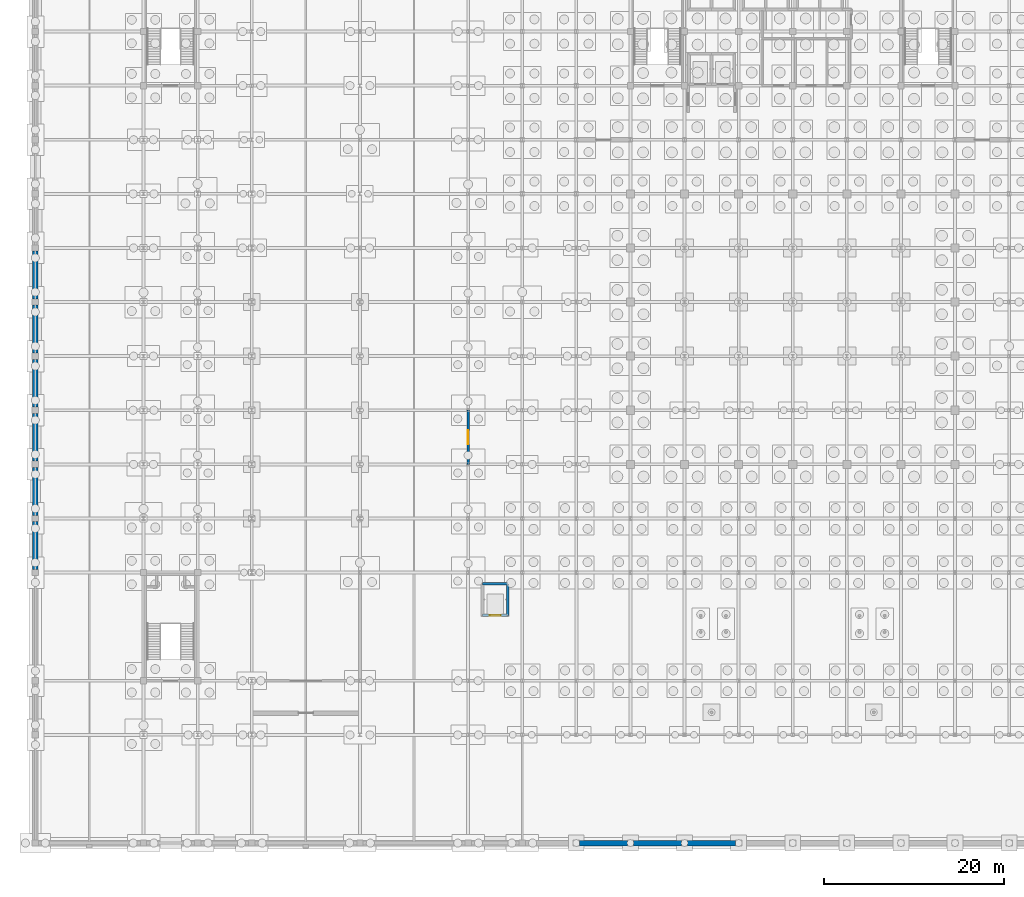
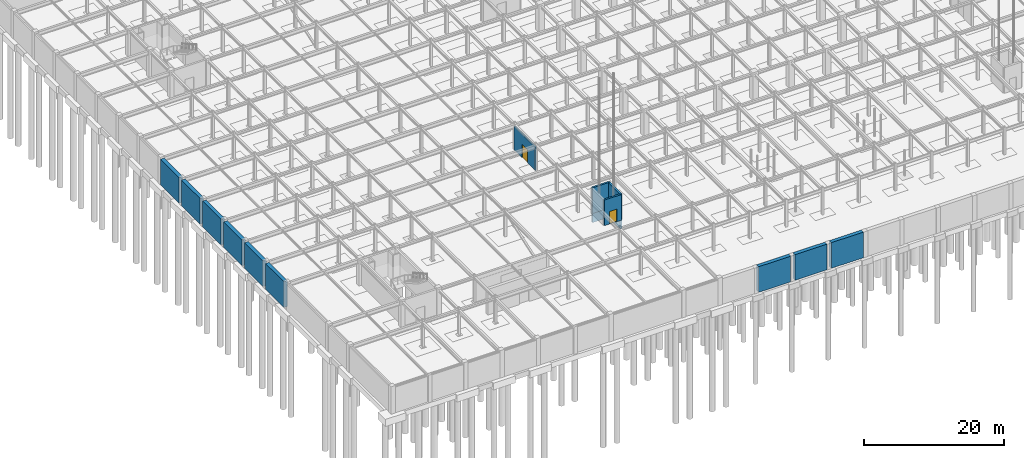
# One storey, part 44 of 69: 15 walls, 2 doors, 2 openings.
"""IFC4 building model written with IfcOpenShell, lengths in metres."""

import ifcopenshell
import ifcopenshell.guid

model = None  # the IFC model being written
_history = None  # IfcOwnerHistory: only IFC2X3 demands one
_inside = {}  # id of a spatial element -> (the spatial element, [elements in it])
_under = {}  # id of a project, library or spatial element -> (it, [spatial elements below it])
_declared = {}  # id of a project -> (the project, [libraries it declares])
_typed = {}  # id of a type object -> (the type object, [elements of that type])
_made_of = {}  # id of a material, layer set ... -> (it, [elements and type objects made of it])


def new_model(schema):
    """Start an empty IFC model of exactly this schema.

    Asked for "IFC4X3", IfcOpenShell would pick the latest addendum, in which some entities
    have other attributes; the version numbers below select the first issue.
    IFC2X3 requires an IfcOwnerHistory on every rooted entity: one is made here for all.
    """
    global model, _history
    if schema == "IFC4X3":
        model = ifcopenshell.file(schema_version=(4, 3, 0, 0))
    else:
        model = ifcopenshell.file(schema=schema)
    _inside.clear()
    _under.clear()
    _declared.clear()
    _typed.clear()
    _made_of.clear()
    _history = None
    if model.schema == "IFC2X3":
        org = make("IfcOrganization", Name="unknown")
        user = make(
            "IfcPersonAndOrganization",
            ThePerson=make("IfcPerson", FamilyName="unknown"),
            TheOrganization=org,
        )
        app = make(
            "IfcApplication",
            ApplicationDeveloper=org,
            Version="unknown",
            ApplicationFullName="unknown",
            ApplicationIdentifier="unknown",
        )
        _history = make(
            "IfcOwnerHistory",
            OwningUser=user,
            OwningApplication=app,
            ChangeAction="ADDED",
            CreationDate=0,
        )
    return model


def make(cls, **values):
    """One entity of the class cls with the attributes given. An attribute that is None is left unset."""
    return model.create_entity(
        cls, **{name: value for name, value in values.items() if value is not None}
    )


def rooted(cls, **values):
    """An entity with a GlobalId (a new one), such as an element, a storey or a relation."""
    return make(cls, GlobalId=ifcopenshell.guid.new(), OwnerHistory=_history, **values)


def si_unit(unit_type, name, prefix=None):
    """IfcSIUnit, for example si_unit("LENGTHUNIT", "METRE", prefix="MILLI")."""
    return make("IfcSIUnit", UnitType=unit_type, Prefix=prefix, Name=name)


def assignment(units):
    """IfcUnitAssignment: the units of a project."""
    return None if units is None else make("IfcUnitAssignment", Units=units)


def point(xyz):
    """IfcCartesianPoint."""
    return None if xyz is None else make("IfcCartesianPoint", Coordinates=xyz)


def direction(xyz):
    """IfcDirection."""
    return None if xyz is None else make("IfcDirection", DirectionRatios=xyz)


def frame(location, z_axis=None, x_axis=None):
    """IfcAxis2Placement3D, a coordinate frame: its origin and axes. An axis left out is left unset."""
    return make(
        "IfcAxis2Placement3D",
        Location=point(location),
        Axis=direction(z_axis),
        RefDirection=direction(x_axis),
    )


def frame_2d(location, x_axis=None):
    """IfcAxis2Placement2D, a coordinate frame in the plane: its origin and x axis."""
    return make(
        "IfcAxis2Placement2D", Location=point(location), RefDirection=direction(x_axis)
    )


def origin():
    """The frame at (0, 0, 0) with its axes left unset."""
    return frame((0.0, 0.0, 0.0))


def place(relative_to, where):
    """IfcLocalPlacement: puts the frame where relative to a parent placement (None: the world)."""
    return make(
        "IfcLocalPlacement", PlacementRelTo=relative_to, RelativePlacement=where
    )


def context(
    kind, dimensions, precision=None, world=None, true_north=None, identifier=None
):
    """IfcGeometricRepresentationContext, for example the 3D "Model" context."""
    return make(
        "IfcGeometricRepresentationContext",
        ContextIdentifier=identifier,
        ContextType=kind,
        CoordinateSpaceDimension=dimensions,
        Precision=precision,
        WorldCoordinateSystem=world,
        TrueNorth=true_north,
    )


def subcontext(parent, identifier, kind, view, scale=None):
    """IfcGeometricRepresentationSubContext, for example "Body" below "Model"."""
    return make(
        "IfcGeometricRepresentationSubContext",
        ContextIdentifier=identifier,
        ContextType=kind,
        ParentContext=parent,
        TargetScale=scale,
        TargetView=view,
    )


def project(units=None, contexts=None):
    """IfcProject with its units and contexts."""
    return rooted(
        "IfcProject",
        Name="project",
        RepresentationContexts=contexts,
        UnitsInContext=assignment(units),
    )


def spatial(cls, under=None, at=None, **own):
    """A site, building, storey or space (cls), placed at a placement, below another one or the project."""
    s = rooted(cls, ObjectPlacement=at, **own)
    if under is not None:
        _under.setdefault(under.id(), (under, []))[1].append(s)
    return s


def profile(cls, at=None, kind="AREA", **sizes):
    """A parametric profile (cls). Its sizes go by their IFC names, for example OverallWidth=200.0."""
    return make(cls, ProfileType=kind, Position=at, **sizes)


def rectangle(**sizes):
    """IfcRectangleProfileDef."""
    return profile("IfcRectangleProfileDef", **sizes)


def extrude(swept, where, along, depth):
    """IfcExtrudedAreaSolid: the profile swept, set in the frame where, extruded along a direction by depth."""
    return make(
        "IfcExtrudedAreaSolid",
        SweptArea=swept,
        Position=where,
        ExtrudedDirection=direction(along),
        Depth=depth,
    )


def shape(context_of_items, identifier, shape_type, items):
    """IfcShapeRepresentation: the items that make up one representation, for example the "Body"."""
    return make(
        "IfcShapeRepresentation",
        ContextOfItems=context_of_items,
        RepresentationIdentifier=identifier,
        RepresentationType=shape_type,
        Items=items,
    )


def material(Name=None, Category=None):
    """IfcMaterial."""
    return make("IfcMaterial", Name=Name, Category=Category)


def layer(
    of_material, thickness, ventilated=None, Name=None, Category=None, Priority=None
):
    """IfcMaterialLayer: one layer of a wall or slab, of a material (None: an air gap)."""
    return make(
        "IfcMaterialLayer",
        Material=of_material,
        LayerThickness=thickness,
        IsVentilated=ventilated,
        Name=Name,
        Category=Category,
        Priority=Priority,
    )


def layer_set(layers, Name=None):
    """IfcMaterialLayerSet."""
    return make("IfcMaterialLayerSet", MaterialLayers=layers, LayerSetName=Name)


def made_of(thing, what):
    """Note that an element or type object is made of a material, layer set ...; save() writes the relation."""
    if what is not None:
        _made_of.setdefault(what.id(), (what, []))[1].append(thing)
    return thing


def type_object(cls, material=None, **own):
    """A type object (cls), such as IfcWallType, which elements share."""
    return made_of(rooted(cls, **own), material)


def element(
    cls,
    number,
    at=None,
    inside=None,
    cuts=None,
    type_object=None,
    material=None,
    context=None,
    identifier="Body",
    shape_type=None,
    held_by="IfcProductDefinitionShape",
    body=None,
    shapes=None,
    **own,
):
    """One element of the class cls, such as IfcWall. Its Tag is "e" and its number.

    at: its placement. inside: the storey or other place that contains it. cuts: it is an
    opening in that element (IfcRelVoidsElement). A single representation is given by context,
    identifier, shape_type and body (its items); several are given by shapes. held_by: the class
    of the entity that holds the representations. save() writes the other relations.
    """
    e = rooted(cls, Tag="e%d" % number, ObjectPlacement=at, **own)
    if body is not None:
        shapes = [shape(context, identifier, shape_type, body)]
    if shapes is not None:
        e.Representation = make(held_by, Representations=shapes)
    if inside is not None:
        _inside.setdefault(inside.id(), (inside, []))[1].append(e)
    if cuts is not None:
        rooted(
            "IfcRelVoidsElement", RelatingBuildingElement=cuts, RelatedOpeningElement=e
        )
    if type_object is not None:
        _typed.setdefault(type_object.id(), (type_object, []))[1].append(e)
    return made_of(e, material)


def fill(opening, filler):
    """IfcRelFillsElement: the door or window that sits in an opening."""
    return rooted(
        "IfcRelFillsElement",
        RelatingOpeningElement=opening,
        RelatedBuildingElement=filler,
    )


def aggregate(whole, parts):
    """IfcRelAggregates: a whole, such as a stair, and the parts it consists of."""
    return rooted("IfcRelAggregates", RelatingObject=whole, RelatedObjects=parts)


def save(model, path):
    """Write the relations noted so far, then the file.

    IfcRelAggregates (storeys below a building ...), IfcRelContainedInSpatialStructure (elements
    in a storey), IfcRelDefinesByType, IfcRelAssociatesMaterial and IfcRelDeclares: one each for
    every whole, place, type object, material and project.
    """
    for whole, parts in _under.values():
        aggregate(whole, parts)
    for where, things in _inside.values():
        rooted(
            "IfcRelContainedInSpatialStructure",
            RelatedElements=things,
            RelatingStructure=where,
        )
    for kind, things in _typed.values():
        rooted("IfcRelDefinesByType", RelatedObjects=things, RelatingType=kind)
    for what, things in _made_of.values():
        rooted("IfcRelAssociatesMaterial", RelatedObjects=things, RelatingMaterial=what)
    for by, libraries in _declared.values():
        rooted("IfcRelDeclares", RelatingContext=by, RelatedDefinitions=libraries)
    model.write(path)


model = new_model("IFC4")

# Units and contexts
model_context = context("Model", 3, precision=1e-05, world=origin(), true_north=direction((0.0, 1.0)))
body_context = subcontext(model_context, "Body", "Model", "MODEL_VIEW")
ifc_project = project(units=[si_unit("LENGTHUNIT", "METRE"), si_unit("AREAUNIT", "SQUARE_METRE"), si_unit("VOLUMEUNIT", "CUBIC_METRE"), si_unit("PLANEANGLEUNIT", "RADIAN"), si_unit("MASSUNIT", "GRAM", prefix="KILO")], contexts=[model_context])

# Site, building, storey
site_placement = place(None, origin())
site = spatial("IfcSite", under=ifc_project, at=site_placement, CompositionType="ELEMENT")
building_placement = place(site_placement, origin())
building = spatial("IfcBuilding", under=site, at=building_placement, Name="Zlatovratsky Civic Hall", CompositionType="ELEMENT")
storey_placement = place(building_placement, frame((0.0, 0.0, -4.800048828125)))
storey = spatial("IfcBuildingStorey", under=building, at=storey_placement, Name="B1", CompositionType="ELEMENT", Elevation=-4.800048828125)

# Wall, opening, door
ifc_material_1 = material(Name="Acoustic ceramic blockwork", Category="masonry")
ifc_layer_1 = layer(ifc_material_1, 0.260009765625)
ifc_layer_set_1 = layer_set([ifc_layer_1], Name="Acoustic ceramic blockwork")
wall_type_1 = type_object("IfcWallType", Name="Wall_ArchiveCompartment_260", PredefinedType="PARTITIONING", material=ifc_layer_set_1)
wall_1_placement = place(storey_placement, frame((48.0, 42.0, 0.0), z_axis=(0.0, 0.0, 1.0), x_axis=(0.0, 1.0, 0.0)))
wall_1 = element("IfcWall", 1, at=wall_1_placement, inside=storey, type_object=wall_type_1, Name="WL-6044", PredefinedType="PARTITIONING", context=body_context, shape_type="SweptSolid", body=[
    extrude(rectangle(XDim=6.0, YDim=0.260009765625, at=frame_2d((3.0, 0.0))), origin(), (0.0, 0.0, 1.0), 4.0400390625),
])
opening_1_placement = place(wall_1_placement, frame((2.22509765625, 0.0, 0.0)))
opening_1 = element("IfcOpeningElement", 2, at=opening_1_placement, cuts=wall_1, Name="Opening D-15", PredefinedType="OPENING", context=body_context, shape_type="SweptSolid", body=[
    extrude(rectangle(XDim=1.550048828125, YDim=2.300048828125, at=frame_2d((0.77490234375, 1.14990234375))), frame((0.0, 0.14501953125, 0.0), z_axis=(0.0, -1.0, 0.0), x_axis=(1.0, 0.0, 0.0)), (0.0, 0.0, 1.0), 0.289794921875),
])
ifc_material_2 = material(Name="Insulated painted fire-rated steel leaf", Category="steel")
door_type_1 = type_object("IfcDoorType", Name="Door_CompactArchiveFire_1550x2300", OperationType="DOUBLE_DOOR_SINGLE_SWING", PredefinedType="DOOR", material=ifc_material_2)
door_1_placement = place(opening_1_placement, origin())
door_1 = element("IfcDoor", 3, at=door_1_placement, inside=storey, type_object=door_type_1, Name="DR-5213", OperationType="DOUBLE_DOOR_SINGLE_SWING", OverallHeight=2.300048828125, OverallWidth=1.550048828125, PredefinedType="DOOR", context=body_context, shape_type="SweptSolid", body=[
    extrude(rectangle(XDim=1.550048828125, YDim=2.300048828125, at=frame_2d((0.77490234375, 1.14990234375))), frame((0.0, 0.02490234375, 0.0), z_axis=(0.0, -1.0, 0.0), x_axis=(1.0, 0.0, 0.0)), (0.0, 0.0, 1.0), 0.050048828125),
])
fill(opening_1, door_1)

# Walls
ifc_material_3 = material(Name="Concrete C35/45 (B40)", Category="concrete")
ifc_layer_2 = layer(ifc_material_3, 0.300048828125)
ifc_layer_set_2 = layer_set([ifc_layer_2], Name="Concrete C35/45 (B40)")
wall_type_2 = type_object("IfcWallType", Name="Wall_StairAndLiftShaft_300", PredefinedType="SHEAR", material=ifc_layer_set_2)
wall_2_placement = place(storey_placement, frame((49.60009765625, 28.75, -1.599853515625), z_axis=(0.0, 0.0, 1.0), x_axis=(1.0, 0.0, 0.0)))
element("IfcWall", 4, at=wall_2_placement, inside=storey, type_object=wall_type_2, Name="WL-5486", PredefinedType="SHEAR", context=body_context, shape_type="SweptSolid", body=[
    extrude(rectangle(XDim=2.7998046875, YDim=0.300048828125, at=frame_2d((1.39990234375, 0.0))), origin(), (0.0, 0.0, 1.0), 1.599853515625),
])
wall_3_placement = place(storey_placement, frame((52.39990234375, 25.25, -1.599853515625), z_axis=(0.0, 0.0, 1.0), x_axis=(0.0, 1.0, 0.0)))
element("IfcWall", 5, at=wall_3_placement, inside=storey, type_object=wall_type_2, Name="WL-5488", PredefinedType="SHEAR", context=body_context, shape_type="SweptSolid", body=[
    extrude(rectangle(XDim=3.5, YDim=0.300048828125, at=frame_2d((1.75, 0.0))), origin(), (0.0, 0.0, 1.0), 1.599853515625),
])

# Wall, opening, door
wall_4_placement = place(storey_placement, frame((49.60009765625, 25.25, 0.0), z_axis=(0.0, 0.0, 1.0), x_axis=(1.0, 0.0, 0.0)))
wall_4 = element("IfcWall", 6, at=wall_4_placement, inside=storey, type_object=wall_type_2, Name="WL-5969", PredefinedType="SHEAR", context=body_context, shape_type="SweptSolid", body=[
    extrude(rectangle(XDim=2.7998046875, YDim=0.300048828125, at=frame_2d((1.39990234375, 0.0))), origin(), (0.0, 0.0, 1.0), 4.47998046875),
])
opening_2_placement = place(wall_4_placement, frame((0.800048828125, 0.0, 0.0)))
opening_2 = element("IfcOpeningElement", 7, at=opening_2_placement, cuts=wall_4, Name="Opening LD-04", PredefinedType="OPENING", context=body_context, shape_type="SweptSolid", body=[
    extrude(rectangle(XDim=1.199951171875, YDim=2.199951171875, at=frame_2d((0.60009765625, 1.10009765625))), frame((0.0, 0.1650390625, 0.0), z_axis=(0.0, -1.0, 0.0), x_axis=(1.0, 0.0, 0.0)), (0.0, 0.0, 1.0), 0.329833984375),
])
ifc_material_4 = material(Name="Brushed stainless steel AISI 304", Category="steel")
door_type_2 = type_object("IfcDoorType", Name="Door_LiftLandingShuttle_1200x2200", OperationType="DOUBLE_DOOR_SLIDING", PredefinedType="DOOR", material=ifc_material_4)
door_2_placement = place(opening_2_placement, origin())
door_2 = element("IfcDoor", 8, at=door_2_placement, inside=storey, type_object=door_type_2, Name="Lift landing door LD-5195", OperationType="DOUBLE_DOOR_SLIDING", OverallHeight=2.199951171875, OverallWidth=1.199951171875, PredefinedType="DOOR", context=body_context, shape_type="SweptSolid", body=[
    extrude(rectangle(XDim=1.199951171875, YDim=2.199951171875, at=frame_2d((0.60009765625, 1.10009765625))), frame((0.0, 0.02490234375, 0.0), z_axis=(0.0, -1.0, 0.0), x_axis=(1.0, 0.0, 0.0)), (0.0, 0.0, 1.0), 0.050048828125),
])
fill(opening_2, door_2)

# Walls
wall_5_placement = place(storey_placement, frame((49.60009765625, 28.75, 0.0), z_axis=(0.0, 0.0, 1.0), x_axis=(1.0, 0.0, 0.0)))
element("IfcWall", 9, at=wall_5_placement, inside=storey, type_object=wall_type_2, Name="WL-5970", PredefinedType="SHEAR", context=body_context, shape_type="SweptSolid", body=[
    extrude(rectangle(XDim=2.7998046875, YDim=0.300048828125, at=frame_2d((1.39990234375, 0.0))), origin(), (0.0, 0.0, 1.0), 4.47998046875),
])
wall_6_placement = place(storey_placement, frame((52.39990234375, 25.25, 0.0), z_axis=(0.0, 0.0, 1.0), x_axis=(0.0, 1.0, 0.0)))
element("IfcWall", 10, at=wall_6_placement, inside=storey, type_object=wall_type_2, Name="WL-5972", PredefinedType="SHEAR", context=body_context, shape_type="SweptSolid", body=[
    extrude(rectangle(XDim=3.5, YDim=0.300048828125, at=frame_2d((1.75, 0.0))), origin(), (0.0, 0.0, 1.0), 4.47998046875),
])
ifc_layer_3 = layer(ifc_material_3, 0.60009765625)
ifc_layer_set_3 = layer_set([ifc_layer_3], Name="Concrete C35/45 (B40)")
wall_type_3 = type_object("IfcWallType", Name="Wall_SubstructureRetaining_600", PredefinedType="SHEAR", material=ifc_layer_set_3)
for number, where, z_axis, x_axis, name in (
    (11, (60.35009765625, 0.0, 0.0), (0.0, 0.0, 1.0), (1.0, 0.0, 0.0), "WL-0008"),
    (12, (66.35009765625, 0.0, 0.0), (0.0, 0.0, 1.0), (1.0, 0.0, 0.0), "WL-0009"),
    (13, (72.35009765625, 0.0, 0.0), (0.0, 0.0, 1.0), (1.0, 0.0, 0.0), "WL-0010"),
    (14, (0.0, 30.35009765625, 0.0), (0.0, 0.0, 1.0), (0.0, 1.0, 0.0), "WL-0048"),
    (15, (0.0, 36.35009765625, 0.0), (0.0, 0.0, 1.0), (0.0, 1.0, 0.0), "WL-0049"),
    (16, (0.0, 42.35009765625, 0.0), (0.0, 0.0, 1.0), (0.0, 1.0, 0.0), "WL-0050"),
    (17, (0.0, 48.35009765625, 0.0), (0.0, 0.0, 1.0), (0.0, 1.0, 0.0), "WL-0051"),
    (18, (0.0, 54.35009765625, 0.0), (0.0, 0.0, 1.0), (0.0, 1.0, 0.0), "WL-0052"),
    (19, (0.0, 60.35009765625, 0.0), (0.0, 0.0, 1.0), (0.0, 1.0, 0.0), "WL-0053"),
):
    element("IfcWall", number, at=place(storey_placement, frame(where, z_axis=z_axis, x_axis=x_axis)), inside=storey, type_object=wall_type_3, Name=name, PredefinedType="SHEAR", context=body_context, shape_type="SweptSolid", body=[
        extrude(rectangle(XDim=5.2998046875, YDim=0.60009765625, at=frame_2d((2.64990234375, 0.0))), origin(), (0.0, 0.0, 1.0), 4.47998046875),
    ])

save(model, "model.ifc")
